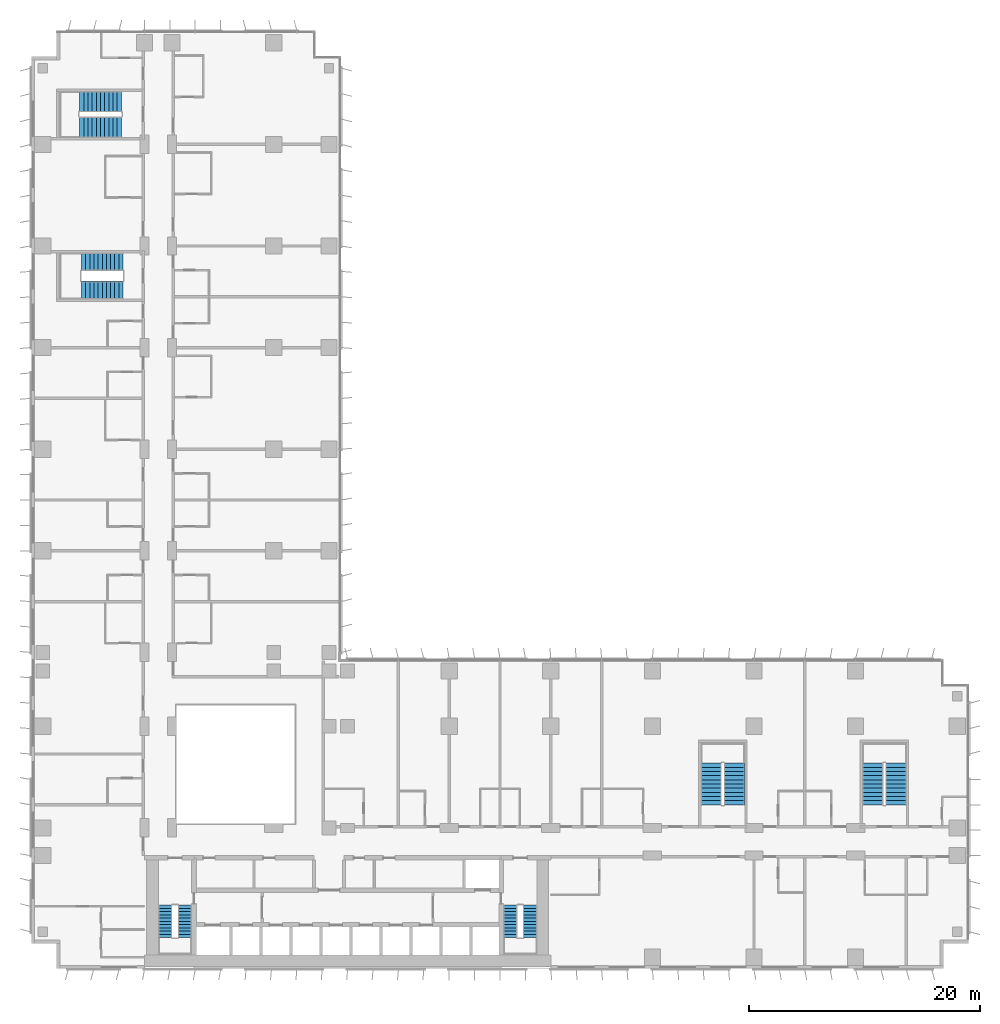
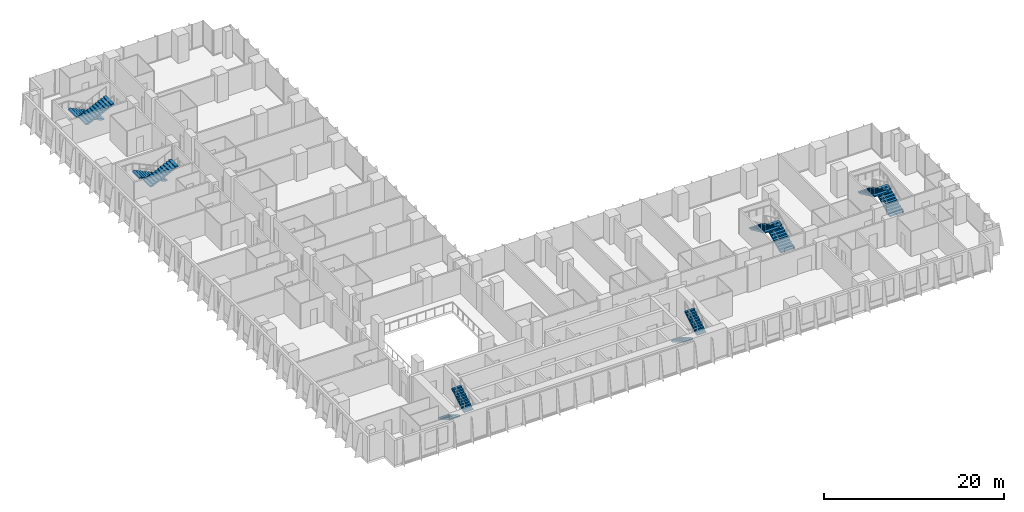
# One storey, part 20 of 24: 12 stair flights, 6 elements without a shape of their own.
"""IFC4 building model written with IfcOpenShell, lengths in metres."""

from ifc_helpers import new_model, si_unit, direction, frame, origin, place, context, subcontext, project, spatial, polyline, outline, extrude, material, type_object, element, aggregate, save


model = new_model("IFC4")

# Units and contexts
model_context = context("Model", 3, precision=1e-05, world=origin(), true_north=direction((0.0, 1.0)))
body_context = subcontext(model_context, "Body", "Model", "MODEL_VIEW")
ifc_project = project(units=[si_unit("LENGTHUNIT", "METRE"), si_unit("AREAUNIT", "SQUARE_METRE"), si_unit("VOLUMEUNIT", "CUBIC_METRE"), si_unit("PLANEANGLEUNIT", "RADIAN"), si_unit("MASSUNIT", "GRAM", prefix="KILO")], contexts=[model_context])

# Site, building, storey
site_placement = place(None, origin())
site = spatial("IfcSite", under=ifc_project, at=site_placement, CompositionType="ELEMENT")
building_placement = place(site_placement, origin())
building = spatial("IfcBuilding", under=site, at=building_placement, Name="Kemantara Hotel Tower", CompositionType="ELEMENT")
storey_placement = place(building_placement, frame((0.0, 0.0, 63.60009765625)))
storey = spatial("IfcBuildingStorey", under=building, at=storey_placement, Name="L14", CompositionType="ELEMENT", Elevation=63.60009765625)

# Stair, stair flights
ifc_material = material(Name="Concrete fc 40 MPa", Category="concrete")
stair_type_1 = type_object("IfcStairType", Name="Stair 1200 wide 22 risers of 168 x 280 mm", PredefinedType="HALF_TURN_STAIR", material=ifc_material)
stair_1_placement = place(storey_placement, origin())
stair_1 = element("IfcStair", 1, at=stair_1_placement, inside=storey, type_object=stair_type_1, Name="L14 Exit stair ST1", PredefinedType="HALF_TURN_STAIR")
stair_flight_type_1 = type_object("IfcStairFlightType", Name="Stair flight 1200 wide 168 x 280 mm", PredefinedType="STRAIGHT", material=ifc_material)
stair_flight_1_placement = place(storey_placement, frame((11.60009765625, 5.5, 0.0), z_axis=(0.0, 0.0, 1.0), x_axis=(0.0, -1.0, 0.0)))
stair_flight_1 = element("IfcStairFlight", 2, at=stair_flight_1_placement, type_object=stair_flight_type_1, Name="ST1 flight 1", NumberOfRisers=11, NumberOfTreads=10, PredefinedType="STRAIGHT", RiserHeight=0.168181818, TreadLength=0.28, context=body_context, shape_type="SweptSolid", body=[
    extrude(outline(polyline([(0.0, 0.0), (0.0, 0.168212890625), (0.280029296875, 0.168212890625), (0.280029296875, 0.33642578125), (0.56005859375, 0.33642578125), (0.56005859375, 0.504638671875), (0.840087890625, 0.504638671875), (0.840087890625, 0.672607421875), (1.1201171875, 0.672607421875), (1.1201171875, 0.8408203125), (1.39990234375, 0.8408203125), (1.39990234375, 1.009033203125), (1.679931640625, 1.009033203125), (1.679931640625, 1.17724609375), (1.9599609375, 1.17724609375), (1.9599609375, 1.345458984375), (2.239990234375, 1.345458984375), (2.239990234375, 1.513671875), (2.52001953125, 1.513671875), (2.52001953125, 1.681884765625), (2.800048828125, 1.681884765625), (2.800048828125, 1.85009765625), (2.800048828125, 1.5068359375), (0.291015625, 0.0), (0.0, 0.0)])), frame((0.0, 0.60009765625, 0.0), z_axis=(0.0, -1.0, 0.0), x_axis=(1.0, 0.0, 0.0)), (0.0, 0.0, 1.0), 1.199951171875),
])
stair_flight_2_placement = place(storey_placement, frame((13.300048828125, 2.699951171875, 1.849853515625), z_axis=(0.0, 0.0, 1.0), x_axis=(0.0, 1.0, 0.0)))
stair_flight_2 = element("IfcStairFlight", 3, at=stair_flight_2_placement, type_object=stair_flight_type_1, Name="ST1 flight 2", NumberOfRisers=11, NumberOfTreads=10, PredefinedType="STRAIGHT", RiserHeight=0.168181818, TreadLength=0.28, context=body_context, shape_type="SweptSolid", body=[
    extrude(outline(polyline([(0.0, 0.0), (0.0, 0.168212890625), (0.280029296875, 0.168212890625), (0.280029296875, 0.33642578125), (0.56005859375, 0.33642578125), (0.56005859375, 0.504638671875), (0.840087890625, 0.504638671875), (0.840087890625, 0.672607421875), (1.1201171875, 0.672607421875), (1.1201171875, 0.8408203125), (1.39990234375, 0.8408203125), (1.39990234375, 1.009033203125), (1.679931640625, 1.009033203125), (1.679931640625, 1.17724609375), (1.9599609375, 1.17724609375), (1.9599609375, 1.345458984375), (2.239990234375, 1.345458984375), (2.239990234375, 1.513671875), (2.52001953125, 1.513671875), (2.52001953125, 1.681884765625), (2.800048828125, 1.681884765625), (2.800048828125, 1.85009765625), (2.800048828125, 1.5068359375), (0.291015625, 0.0), (0.0, 0.0)])), frame((0.0, 0.60009765625, 0.0), z_axis=(0.0, -1.0, 0.0), x_axis=(1.0, 0.0, 0.0)), (0.0, 0.0, 1.0), 1.199951171875),
])
aggregate(stair_1, [stair_flight_1, stair_flight_2])

stair_2_placement = place(storey_placement, origin())
stair_2 = element("IfcStair", 4, at=stair_2_placement, inside=storey, type_object=stair_type_1, Name="L14 Exit stair ST2", PredefinedType="HALF_TURN_STAIR")
stair_flight_3_placement = place(storey_placement, frame((41.5, 5.5, 0.0), z_axis=(0.0, 0.0, 1.0), x_axis=(0.0, -1.0, 0.0)))
stair_flight_3 = element("IfcStairFlight", 5, at=stair_flight_3_placement, type_object=stair_flight_type_1, Name="ST2 flight 1", NumberOfRisers=11, NumberOfTreads=10, PredefinedType="STRAIGHT", RiserHeight=0.168181818, TreadLength=0.28, context=body_context, shape_type="SweptSolid", body=[
    extrude(outline(polyline([(0.0, 0.0), (0.0, 0.168212890625), (0.280029296875, 0.168212890625), (0.280029296875, 0.33642578125), (0.56005859375, 0.33642578125), (0.56005859375, 0.504638671875), (0.840087890625, 0.504638671875), (0.840087890625, 0.672607421875), (1.1201171875, 0.672607421875), (1.1201171875, 0.8408203125), (1.39990234375, 0.8408203125), (1.39990234375, 1.009033203125), (1.679931640625, 1.009033203125), (1.679931640625, 1.17724609375), (1.9599609375, 1.17724609375), (1.9599609375, 1.345458984375), (2.239990234375, 1.345458984375), (2.239990234375, 1.513671875), (2.52001953125, 1.513671875), (2.52001953125, 1.681884765625), (2.800048828125, 1.681884765625), (2.800048828125, 1.85009765625), (2.800048828125, 1.5068359375), (0.291015625, 0.0), (0.0, 0.0)])), frame((0.0, 0.60009765625, 0.0), z_axis=(0.0, -1.0, 0.0), x_axis=(1.0, 0.0, 0.0)), (0.0, 0.0, 1.0), 1.199951171875),
])
stair_flight_4_placement = place(storey_placement, frame((43.199951171875, 2.699951171875, 1.849853515625), z_axis=(0.0, 0.0, 1.0), x_axis=(0.0, 1.0, 0.0)))
stair_flight_4 = element("IfcStairFlight", 6, at=stair_flight_4_placement, type_object=stair_flight_type_1, Name="ST2 flight 2", NumberOfRisers=11, NumberOfTreads=10, PredefinedType="STRAIGHT", RiserHeight=0.168181818, TreadLength=0.28, context=body_context, shape_type="SweptSolid", body=[
    extrude(outline(polyline([(0.0, 0.0), (0.0, 0.168212890625), (0.280029296875, 0.168212890625), (0.280029296875, 0.33642578125), (0.56005859375, 0.33642578125), (0.56005859375, 0.504638671875), (0.840087890625, 0.504638671875), (0.840087890625, 0.672607421875), (1.1201171875, 0.672607421875), (1.1201171875, 0.8408203125), (1.39990234375, 0.8408203125), (1.39990234375, 1.009033203125), (1.679931640625, 1.009033203125), (1.679931640625, 1.17724609375), (1.9599609375, 1.17724609375), (1.9599609375, 1.345458984375), (2.239990234375, 1.345458984375), (2.239990234375, 1.513671875), (2.52001953125, 1.513671875), (2.52001953125, 1.681884765625), (2.800048828125, 1.681884765625), (2.800048828125, 1.85009765625), (2.800048828125, 1.5068359375), (0.291015625, 0.0), (0.0, 0.0)])), frame((0.0, 0.60009765625, 0.0), z_axis=(0.0, -1.0, 0.0), x_axis=(1.0, 0.0, 0.0)), (0.0, 0.0, 1.0), 1.199951171875),
])
aggregate(stair_2, [stair_flight_3, stair_flight_4])

stair_type_2 = type_object("IfcStairType", Name="Stair 1550 wide 22 risers of 168 x 360 mm", PredefinedType="HALF_TURN_STAIR", material=ifc_material)
stair_3_placement = place(storey_placement, origin())
stair_3 = element("IfcStair", 7, at=stair_3_placement, inside=storey, type_object=stair_type_2, Name="L14 Exit stair ST4", PredefinedType="HALF_TURN_STAIR")
stair_flight_type_2 = type_object("IfcStairFlightType", Name="Stair flight 1550 wide 168 x 360 mm", PredefinedType="STRAIGHT", material=ifc_material)
stair_flight_5_placement = place(storey_placement, frame((7.949951171875, 61.22509765625, 0.0), z_axis=(0.0, 0.0, 1.0), x_axis=(-1.0, 0.0, 0.0)))
stair_flight_5 = element("IfcStairFlight", 8, at=stair_flight_5_placement, type_object=stair_flight_type_2, Name="ST4 flight 1", NumberOfRisers=11, NumberOfTreads=10, PredefinedType="STRAIGHT", RiserHeight=0.168181818, TreadLength=0.36, context=body_context, shape_type="SweptSolid", body=[
    extrude(outline(polyline([(0.0, 0.0), (0.0, 0.168212890625), (0.360107421875, 0.168212890625), (0.360107421875, 0.33642578125), (0.719970703125, 0.33642578125), (0.719970703125, 0.504638671875), (1.080078125, 0.504638671875), (1.080078125, 0.672607421875), (1.43994140625, 0.672607421875), (1.43994140625, 0.8408203125), (1.800048828125, 0.8408203125), (1.800048828125, 1.009033203125), (2.159912109375, 1.009033203125), (2.159912109375, 1.17724609375), (2.52001953125, 1.17724609375), (2.52001953125, 1.345458984375), (2.8798828125, 1.345458984375), (2.8798828125, 1.513671875), (3.239990234375, 1.513671875), (3.239990234375, 1.681884765625), (3.60009765625, 1.681884765625), (3.60009765625, 1.85009765625), (3.60009765625, 1.516357421875), (0.354248046875, 0.0), (0.0, 0.0)])), frame((0.0, 0.77490234375, 0.0), z_axis=(0.0, -1.0, 0.0), x_axis=(1.0, 0.0, 0.0)), (0.0, 0.0, 1.0), 1.550048828125),
])
stair_flight_6_placement = place(storey_placement, frame((4.35009765625, 58.77490234375, 1.849853515625), z_axis=(0.0, 0.0, 1.0), x_axis=(1.0, 0.0, 0.0)))
stair_flight_6 = element("IfcStairFlight", 9, at=stair_flight_6_placement, type_object=stair_flight_type_2, Name="ST4 flight 2", NumberOfRisers=11, NumberOfTreads=10, PredefinedType="STRAIGHT", RiserHeight=0.168181818, TreadLength=0.36, context=body_context, shape_type="SweptSolid", body=[
    extrude(outline(polyline([(0.0, 0.0), (0.0, 0.168212890625), (0.360107421875, 0.168212890625), (0.360107421875, 0.33642578125), (0.719970703125, 0.33642578125), (0.719970703125, 0.504638671875), (1.080078125, 0.504638671875), (1.080078125, 0.672607421875), (1.43994140625, 0.672607421875), (1.43994140625, 0.8408203125), (1.800048828125, 0.8408203125), (1.800048828125, 1.009033203125), (2.159912109375, 1.009033203125), (2.159912109375, 1.17724609375), (2.52001953125, 1.17724609375), (2.52001953125, 1.345458984375), (2.8798828125, 1.345458984375), (2.8798828125, 1.513671875), (3.239990234375, 1.513671875), (3.239990234375, 1.681884765625), (3.60009765625, 1.681884765625), (3.60009765625, 1.85009765625), (3.60009765625, 1.516357421875), (0.354248046875, 0.0), (0.0, 0.0)])), frame((0.0, 0.77490234375, 0.0), z_axis=(0.0, -1.0, 0.0), x_axis=(1.0, 0.0, 0.0)), (0.0, 0.0, 1.0), 1.550048828125),
])
aggregate(stair_3, [stair_flight_5, stair_flight_6])

stair_type_3 = type_object("IfcStairType", Name="Stair 1800 wide 22 risers of 168 x 360 mm", PredefinedType="HALF_TURN_STAIR", material=ifc_material)
stair_4_placement = place(storey_placement, origin())
stair_4 = element("IfcStair", 10, at=stair_4_placement, inside=storey, type_object=stair_type_3, Name="L14 Exit stair ST3", PredefinedType="HALF_TURN_STAIR")
stair_flight_type_3 = type_object("IfcStairFlightType", Name="Stair flight 1800 wide 168 x 360 mm", PredefinedType="STRAIGHT", material=ifc_material)
stair_flight_7_placement = place(storey_placement, frame((60.89990234375, 14.199951171875, 0.0), z_axis=(0.0, 0.0, 1.0), x_axis=(0.0, 1.0, 0.0)))
stair_flight_7 = element("IfcStairFlight", 11, at=stair_flight_7_placement, type_object=stair_flight_type_3, Name="ST3 flight 1", NumberOfRisers=11, NumberOfTreads=10, PredefinedType="STRAIGHT", RiserHeight=0.168181818, TreadLength=0.36, context=body_context, shape_type="SweptSolid", body=[
    extrude(outline(polyline([(0.0, 0.0), (0.0, 0.168212890625), (0.360107421875, 0.168212890625), (0.360107421875, 0.33642578125), (0.719970703125, 0.33642578125), (0.719970703125, 0.504638671875), (1.080078125, 0.504638671875), (1.080078125, 0.672607421875), (1.43994140625, 0.672607421875), (1.43994140625, 0.8408203125), (1.800048828125, 0.8408203125), (1.800048828125, 1.009033203125), (2.159912109375, 1.009033203125), (2.159912109375, 1.17724609375), (2.52001953125, 1.17724609375), (2.52001953125, 1.345458984375), (2.8798828125, 1.345458984375), (2.8798828125, 1.513671875), (3.239990234375, 1.513671875), (3.239990234375, 1.681884765625), (3.60009765625, 1.681884765625), (3.60009765625, 1.85009765625), (3.60009765625, 1.516357421875), (0.354248046875, 0.0), (0.0, 0.0)])), frame((0.0, 0.89990234375, 0.0), z_axis=(0.0, -1.0, 0.0), x_axis=(1.0, 0.0, 0.0)), (0.0, 0.0, 1.0), 1.800048828125),
])
stair_flight_8_placement = place(storey_placement, frame((58.89990234375, 17.800048828125, 1.849853515625), z_axis=(0.0, 0.0, 1.0), x_axis=(0.0, -1.0, 0.0)))
stair_flight_8 = element("IfcStairFlight", 12, at=stair_flight_8_placement, type_object=stair_flight_type_3, Name="ST3 flight 2", NumberOfRisers=11, NumberOfTreads=10, PredefinedType="STRAIGHT", RiserHeight=0.168181818, TreadLength=0.36, context=body_context, shape_type="SweptSolid", body=[
    extrude(outline(polyline([(0.0, 0.0), (0.0, 0.168212890625), (0.360107421875, 0.168212890625), (0.360107421875, 0.33642578125), (0.719970703125, 0.33642578125), (0.719970703125, 0.504638671875), (1.080078125, 0.504638671875), (1.080078125, 0.672607421875), (1.43994140625, 0.672607421875), (1.43994140625, 0.8408203125), (1.800048828125, 0.8408203125), (1.800048828125, 1.009033203125), (2.159912109375, 1.009033203125), (2.159912109375, 1.17724609375), (2.52001953125, 1.17724609375), (2.52001953125, 1.345458984375), (2.8798828125, 1.345458984375), (2.8798828125, 1.513671875), (3.239990234375, 1.513671875), (3.239990234375, 1.681884765625), (3.60009765625, 1.681884765625), (3.60009765625, 1.85009765625), (3.60009765625, 1.516357421875), (0.354248046875, 0.0), (0.0, 0.0)])), frame((0.0, 0.89990234375, 0.0), z_axis=(0.0, -1.0, 0.0), x_axis=(1.0, 0.0, 0.0)), (0.0, 0.0, 1.0), 1.800048828125),
])
aggregate(stair_4, [stair_flight_7, stair_flight_8])

stair_5_placement = place(storey_placement, origin())
stair_5 = element("IfcStair", 13, at=stair_5_placement, inside=storey, type_object=stair_type_3, Name="L14 Exit stair ST5", PredefinedType="HALF_TURN_STAIR")
stair_flight_9_placement = place(storey_placement, frame((74.89990234375, 14.199951171875, 0.0), z_axis=(0.0, 0.0, 1.0), x_axis=(0.0, 1.0, 0.0)))
stair_flight_9 = element("IfcStairFlight", 14, at=stair_flight_9_placement, type_object=stair_flight_type_3, Name="ST5 flight 1", NumberOfRisers=11, NumberOfTreads=10, PredefinedType="STRAIGHT", RiserHeight=0.168181818, TreadLength=0.36, context=body_context, shape_type="SweptSolid", body=[
    extrude(outline(polyline([(0.0, 0.0), (0.0, 0.168212890625), (0.360107421875, 0.168212890625), (0.360107421875, 0.33642578125), (0.719970703125, 0.33642578125), (0.719970703125, 0.504638671875), (1.080078125, 0.504638671875), (1.080078125, 0.672607421875), (1.43994140625, 0.672607421875), (1.43994140625, 0.8408203125), (1.800048828125, 0.8408203125), (1.800048828125, 1.009033203125), (2.159912109375, 1.009033203125), (2.159912109375, 1.17724609375), (2.52001953125, 1.17724609375), (2.52001953125, 1.345458984375), (2.8798828125, 1.345458984375), (2.8798828125, 1.513671875), (3.239990234375, 1.513671875), (3.239990234375, 1.681884765625), (3.60009765625, 1.681884765625), (3.60009765625, 1.85009765625), (3.60009765625, 1.516357421875), (0.354248046875, 0.0), (0.0, 0.0)])), frame((0.0, 0.89990234375, 0.0), z_axis=(0.0, -1.0, 0.0), x_axis=(1.0, 0.0, 0.0)), (0.0, 0.0, 1.0), 1.800048828125),
])
stair_flight_10_placement = place(storey_placement, frame((72.89990234375, 17.800048828125, 1.849853515625), z_axis=(0.0, 0.0, 1.0), x_axis=(0.0, -1.0, 0.0)))
stair_flight_10 = element("IfcStairFlight", 15, at=stair_flight_10_placement, type_object=stair_flight_type_3, Name="ST5 flight 2", NumberOfRisers=11, NumberOfTreads=10, PredefinedType="STRAIGHT", RiserHeight=0.168181818, TreadLength=0.36, context=body_context, shape_type="SweptSolid", body=[
    extrude(outline(polyline([(0.0, 0.0), (0.0, 0.168212890625), (0.360107421875, 0.168212890625), (0.360107421875, 0.33642578125), (0.719970703125, 0.33642578125), (0.719970703125, 0.504638671875), (1.080078125, 0.504638671875), (1.080078125, 0.672607421875), (1.43994140625, 0.672607421875), (1.43994140625, 0.8408203125), (1.800048828125, 0.8408203125), (1.800048828125, 1.009033203125), (2.159912109375, 1.009033203125), (2.159912109375, 1.17724609375), (2.52001953125, 1.17724609375), (2.52001953125, 1.345458984375), (2.8798828125, 1.345458984375), (2.8798828125, 1.513671875), (3.239990234375, 1.513671875), (3.239990234375, 1.681884765625), (3.60009765625, 1.681884765625), (3.60009765625, 1.85009765625), (3.60009765625, 1.516357421875), (0.354248046875, 0.0), (0.0, 0.0)])), frame((0.0, 0.89990234375, 0.0), z_axis=(0.0, -1.0, 0.0), x_axis=(1.0, 0.0, 0.0)), (0.0, 0.0, 1.0), 1.800048828125),
])
aggregate(stair_5, [stair_flight_9, stair_flight_10])

stair_6_placement = place(storey_placement, origin())
stair_6 = element("IfcStair", 16, at=stair_6_placement, inside=storey, type_object=stair_type_3, Name="L14 Exit stair ST6", PredefinedType="HALF_TURN_STAIR")
stair_flight_11_placement = place(storey_placement, frame((7.800048828125, 75.10009765625, 0.0), z_axis=(0.0, 0.0, 1.0), x_axis=(-1.0, 0.0, 0.0)))
stair_flight_11 = element("IfcStairFlight", 17, at=stair_flight_11_placement, type_object=stair_flight_type_3, Name="ST6 flight 1", NumberOfRisers=11, NumberOfTreads=10, PredefinedType="STRAIGHT", RiserHeight=0.168181818, TreadLength=0.36, context=body_context, shape_type="SweptSolid", body=[
    extrude(outline(polyline([(0.0, 0.0), (0.0, 0.168212890625), (0.360107421875, 0.168212890625), (0.360107421875, 0.33642578125), (0.719970703125, 0.33642578125), (0.719970703125, 0.504638671875), (1.080078125, 0.504638671875), (1.080078125, 0.672607421875), (1.43994140625, 0.672607421875), (1.43994140625, 0.8408203125), (1.800048828125, 0.8408203125), (1.800048828125, 1.009033203125), (2.159912109375, 1.009033203125), (2.159912109375, 1.17724609375), (2.52001953125, 1.17724609375), (2.52001953125, 1.345458984375), (2.8798828125, 1.345458984375), (2.8798828125, 1.513671875), (3.239990234375, 1.513671875), (3.239990234375, 1.681884765625), (3.60009765625, 1.681884765625), (3.60009765625, 1.85009765625), (3.60009765625, 1.516357421875), (0.354248046875, 0.0), (0.0, 0.0)])), frame((0.0, 0.89990234375, 0.0), z_axis=(0.0, -1.0, 0.0), x_axis=(1.0, 0.0, 0.0)), (0.0, 0.0, 1.0), 1.800048828125),
])
stair_flight_12_placement = place(storey_placement, frame((4.199951171875, 72.89990234375, 1.849853515625), z_axis=(0.0, 0.0, 1.0), x_axis=(1.0, 0.0, 0.0)))
stair_flight_12 = element("IfcStairFlight", 18, at=stair_flight_12_placement, type_object=stair_flight_type_3, Name="ST6 flight 2", NumberOfRisers=11, NumberOfTreads=10, PredefinedType="STRAIGHT", RiserHeight=0.168181818, TreadLength=0.36, context=body_context, shape_type="SweptSolid", body=[
    extrude(outline(polyline([(0.0, 0.0), (0.0, 0.168212890625), (0.360107421875, 0.168212890625), (0.360107421875, 0.33642578125), (0.719970703125, 0.33642578125), (0.719970703125, 0.504638671875), (1.080078125, 0.504638671875), (1.080078125, 0.672607421875), (1.43994140625, 0.672607421875), (1.43994140625, 0.8408203125), (1.800048828125, 0.8408203125), (1.800048828125, 1.009033203125), (2.159912109375, 1.009033203125), (2.159912109375, 1.17724609375), (2.52001953125, 1.17724609375), (2.52001953125, 1.345458984375), (2.8798828125, 1.345458984375), (2.8798828125, 1.513671875), (3.239990234375, 1.513671875), (3.239990234375, 1.681884765625), (3.60009765625, 1.681884765625), (3.60009765625, 1.85009765625), (3.60009765625, 1.516357421875), (0.354248046875, 0.0), (0.0, 0.0)])), frame((0.0, 0.89990234375, 0.0), z_axis=(0.0, -1.0, 0.0), x_axis=(1.0, 0.0, 0.0)), (0.0, 0.0, 1.0), 1.800048828125),
])
aggregate(stair_6, [stair_flight_11, stair_flight_12])

save(model, "model.ifc")
